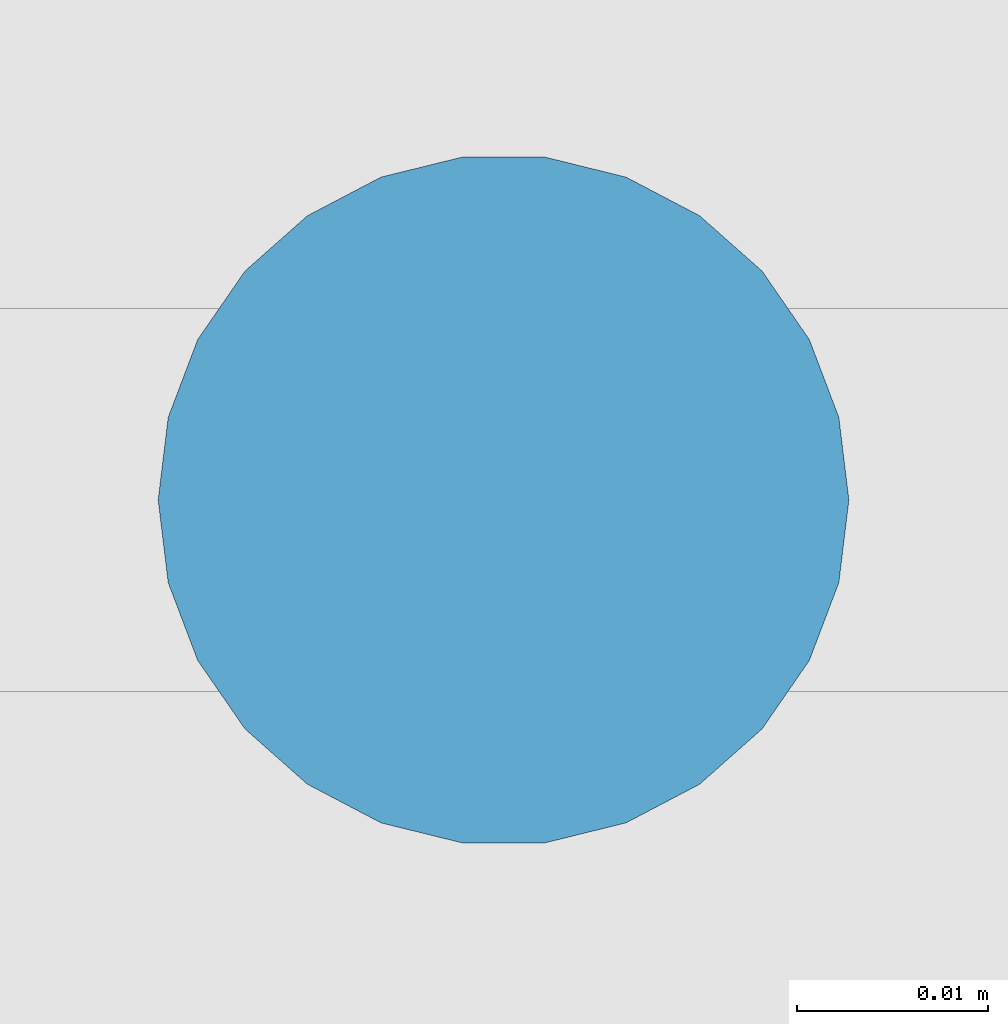
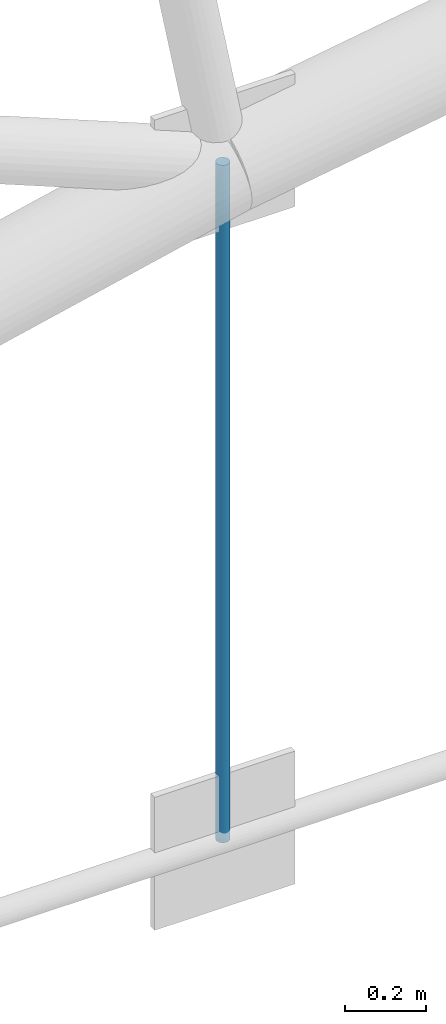
# One storey, part 119 of 321: 1 member.
"""IFC4 building model written with IfcOpenShell, lengths in metres."""

from ifc_helpers import new_model, si_unit, direction, frame, origin, origin_2d, place, context, subcontext, project, spatial, circle, extrude, material, material_profile, profile_set, type_object, element, save


model = new_model("IFC4")

# Units and contexts
model_context = context("Model", 3, precision=1e-05, world=origin(), true_north=direction((0.0, 1.0)))
body_context = subcontext(model_context, "Body", "Model", "MODEL_VIEW")
ifc_project = project(units=[si_unit("LENGTHUNIT", "METRE"), si_unit("AREAUNIT", "SQUARE_METRE"), si_unit("VOLUMEUNIT", "CUBIC_METRE"), si_unit("PLANEANGLEUNIT", "RADIAN"), si_unit("MASSUNIT", "GRAM", prefix="KILO")], contexts=[model_context])

# Site, building, storey
site_placement = place(None, origin())
site = spatial("IfcSite", under=ifc_project, at=site_placement, CompositionType="ELEMENT")
building_placement = place(site_placement, origin())
building = spatial("IfcBuilding", under=site, at=building_placement, Name="Ravi Spectrum Wholesale Market", CompositionType="ELEMENT")
storey_placement = place(building_placement, frame((0.0, 0.0, 10.800048828125)))
storey = spatial("IfcBuildingStorey", under=building, at=storey_placement, Name="L02", CompositionType="ELEMENT", Elevation=10.800048828125)

# Member
ifc_material = material(Name="Steel S355", Category="steel")
ifc_material_profile = material_profile(ifc_material, circle(Radius=0.01806640625, at=origin_2d()))
ifc_profile_set = profile_set([ifc_material_profile], Name="Steel S355")
member_type = type_object("IfcMemberType", Name="ROD 36 hanger", PredefinedType="STRUT", material=ifc_profile_set)
member_placement = place(storey_placement, frame((163.88671875, 102.0, 0.0), z_axis=(0.0, 0.0, 1.0), x_axis=(1.0, 0.0, 0.0)))
element("IfcMember", 1, at=member_placement, inside=storey, type_object=member_type, Name="H2-MB-L02-167", PredefinedType="STRUT", context=body_context, shape_type="SweptSolid", body=[
    extrude(circle(Radius=0.01806640625, at=origin_2d()), origin(), (0.0, 0.0, 1.0), 2.037841796875),
])

save(model, "model.ifc")
